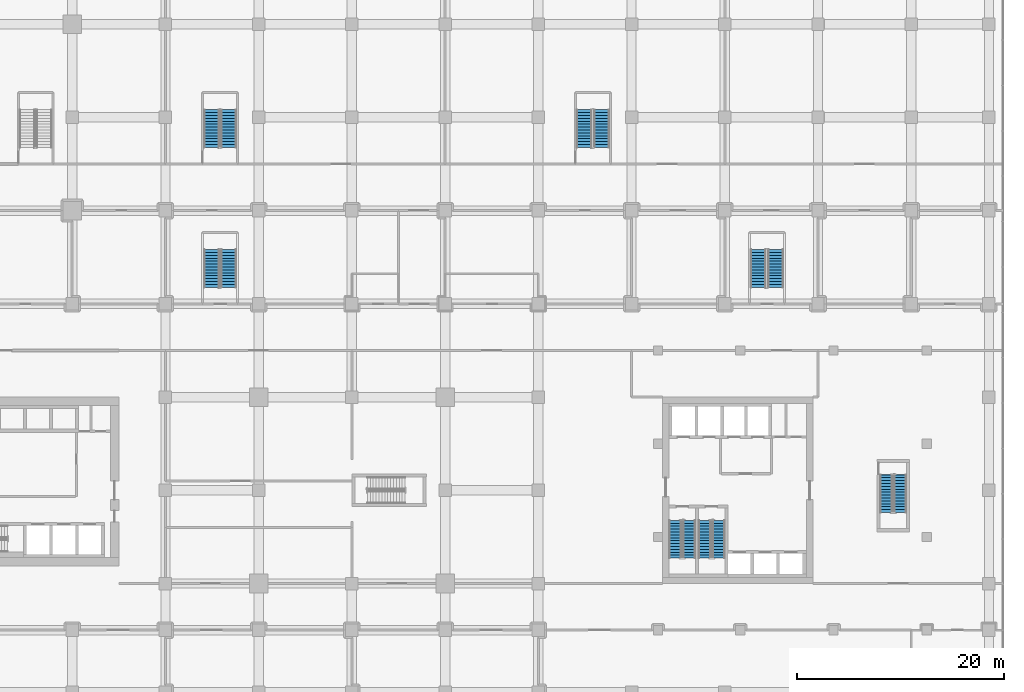
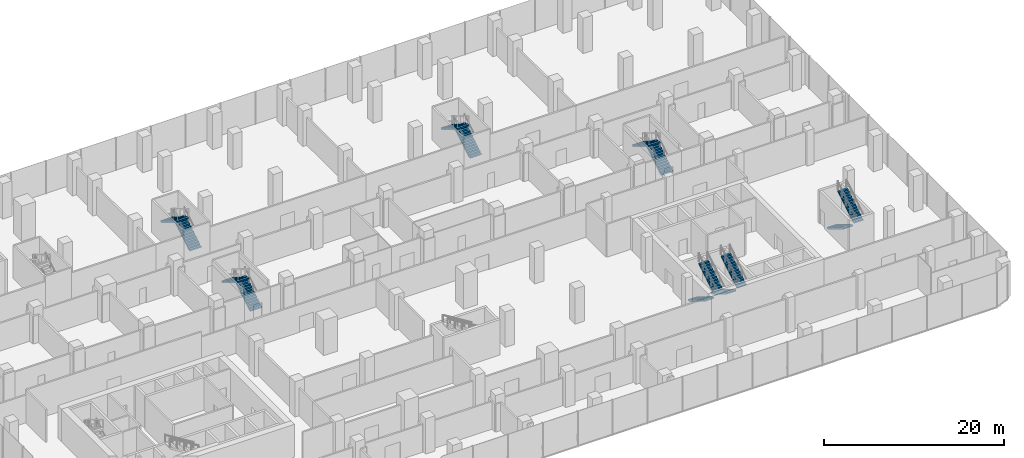
# One storey, part 37 of 42: 14 stair flights, 7 elements without a shape of their own.
"""IFC4 building model written with IfcOpenShell, lengths in metres."""

from ifc_helpers import new_model, si_unit, direction, frame, origin, place, context, subcontext, project, spatial, polyline, outline, extrude, material, type_object, element, aggregate, save


model = new_model("IFC4")

# Units and contexts
model_context = context("Model", 3, precision=1e-05, world=origin(), true_north=direction((0.0, 1.0)))
body_context = subcontext(model_context, "Body", "Model", "MODEL_VIEW")
ifc_project = project(units=[si_unit("LENGTHUNIT", "METRE"), si_unit("AREAUNIT", "SQUARE_METRE"), si_unit("VOLUMEUNIT", "CUBIC_METRE"), si_unit("PLANEANGLEUNIT", "RADIAN"), si_unit("MASSUNIT", "GRAM", prefix="KILO")], contexts=[model_context])

# Site, building, storey
site_placement = place(None, origin())
site = spatial("IfcSite", under=ifc_project, at=site_placement, CompositionType="ELEMENT")
building_placement = place(site_placement, origin())
building = spatial("IfcBuilding", under=site, at=building_placement, Name="Plateau Cross Towers", CompositionType="ELEMENT")
storey_placement = place(building_placement, frame((0.0, 0.0, 8.0)))
storey = spatial("IfcBuildingStorey", under=building, at=storey_placement, Name="L01", CompositionType="ELEMENT", Elevation=8.0)

# Stair, stair flights
ifc_material = material(Name="Concrete C40/50", Category="concrete")
stair_type_1 = type_object("IfcStairType", Name="Podium exit stair 1500", PredefinedType="HALF_TURN_STAIR", material=ifc_material)
stair_1_placement = place(storey_placement, origin())
stair_1 = element("IfcStair", 1, at=stair_1_placement, inside=storey, type_object=stair_type_1, Name="L01 Exit Stair 1", PredefinedType="HALF_TURN_STAIR")
stair_flight_type_1 = type_object("IfcStairFlightType", Name="Podium stair flight 1500", PredefinedType="STRAIGHT", material=ifc_material)
stair_flight_1_placement = place(storey_placement, frame((33.10009765625, 28.60009765625, 0.0), z_axis=(0.0, 0.0, 1.0), x_axis=(0.0, 1.0, 0.0)))
stair_flight_1 = element("IfcStairFlight", 2, at=stair_flight_1_placement, type_object=stair_flight_type_1, Name="PS1 flight 1", NumberOfRisers=14, NumberOfTreads=13, PredefinedType="STRAIGHT", RiserHeight=0.171428571, TreadLength=0.28, context=body_context, shape_type="SweptSolid", body=[
    extrude(outline(polyline([(-0.0048828125, -0.010009765625), (-0.0048828125, 0.0), (0.0, 0.0), (0.0, 0.17138671875), (0.280029296875, 0.17138671875), (0.280029296875, 0.3427734375), (0.56005859375, 0.3427734375), (0.56005859375, 0.514404296875), (0.840087890625, 0.514404296875), (0.840087890625, 0.685791015625), (1.1201171875, 0.685791015625), (1.1201171875, 0.857177734375), (1.39990234375, 0.857177734375), (1.39990234375, 1.028564453125), (1.679931640625, 1.028564453125), (1.679931640625, 1.199951171875), (1.9599609375, 1.199951171875), (1.9599609375, 1.371337890625), (2.239990234375, 1.371337890625), (2.239990234375, 1.54296875), (2.52001953125, 1.54296875), (2.52001953125, 1.71435546875), (2.800048828125, 1.71435546875), (2.800048828125, 1.8857421875), (3.080078125, 1.8857421875), (3.080078125, 2.05712890625), (3.360107421875, 2.05712890625), (3.360107421875, 2.228515625), (3.639892578125, 2.228515625), (3.64501953125, 2.218505859375), (3.64501953125, 2.052734375), (3.639892578125, 2.052734375), (0.287109375, 0.0), (0.02001953125, 0.0), (0.02001953125, -0.010009765625), (-0.0048828125, -0.010009765625)])), frame((0.0, 0.75, 0.0), z_axis=(0.0, -1.0, 0.0), x_axis=(1.0, 0.0, 0.0)), (0.0, 0.0, 1.0), 1.5),
])
stair_flight_2_placement = place(storey_placement, frame((31.449951171875, 32.239990234375, 2.39990234375), z_axis=(0.0, 0.0, 1.0), x_axis=(0.0, -1.0, 0.0)))
stair_flight_2 = element("IfcStairFlight", 3, at=stair_flight_2_placement, type_object=stair_flight_type_1, Name="PS1 flight 2", NumberOfRisers=14, NumberOfTreads=13, PredefinedType="STRAIGHT", RiserHeight=0.171428571, TreadLength=0.28, context=body_context, shape_type="SweptSolid", body=[
    extrude(outline(polyline([(-0.0048828125, -0.010009765625), (-0.0048828125, 0.0), (0.0, 0.0), (0.0, 0.17138671875), (0.280029296875, 0.17138671875), (0.280029296875, 0.3427734375), (0.56005859375, 0.3427734375), (0.56005859375, 0.514404296875), (0.840087890625, 0.514404296875), (0.840087890625, 0.685791015625), (1.1201171875, 0.685791015625), (1.1201171875, 0.857177734375), (1.39990234375, 0.857177734375), (1.39990234375, 1.028564453125), (1.679931640625, 1.028564453125), (1.679931640625, 1.199951171875), (1.9599609375, 1.199951171875), (1.9599609375, 1.371337890625), (2.239990234375, 1.371337890625), (2.239990234375, 1.54296875), (2.52001953125, 1.54296875), (2.52001953125, 1.71435546875), (2.800048828125, 1.71435546875), (2.800048828125, 1.8857421875), (3.080078125, 1.8857421875), (3.080078125, 2.05712890625), (3.360107421875, 2.05712890625), (3.360107421875, 2.228515625), (3.639892578125, 2.228515625), (3.64501953125, 2.218505859375), (3.64501953125, 2.052734375), (3.639892578125, 2.052734375), (0.287109375, 0.0), (0.02001953125, 0.0), (0.02001953125, -0.010009765625), (-0.0048828125, -0.010009765625)])), frame((0.0, 0.75, 0.0), z_axis=(0.0, -1.0, 0.0), x_axis=(1.0, 0.0, 0.0)), (0.0, 0.0, 1.0), 1.5),
])
aggregate(stair_1, [stair_flight_1, stair_flight_2])

stair_2_placement = place(storey_placement, origin())
stair_2 = element("IfcStair", 4, at=stair_2_placement, inside=storey, type_object=stair_type_1, Name="L01 Exit Stair 2", PredefinedType="HALF_TURN_STAIR")
stair_flight_3_placement = place(storey_placement, frame((33.10009765625, 42.10009765625, 0.0), z_axis=(0.0, 0.0, 1.0), x_axis=(0.0, 1.0, 0.0)))
stair_flight_3 = element("IfcStairFlight", 5, at=stair_flight_3_placement, type_object=stair_flight_type_1, Name="PS2 flight 1", NumberOfRisers=14, NumberOfTreads=13, PredefinedType="STRAIGHT", RiserHeight=0.171428571, TreadLength=0.28, context=body_context, shape_type="SweptSolid", body=[
    extrude(outline(polyline([(-0.0048828125, -0.010009765625), (-0.0048828125, 0.0), (0.0, 0.0), (0.0, 0.17138671875), (0.280029296875, 0.17138671875), (0.280029296875, 0.3427734375), (0.56005859375, 0.3427734375), (0.56005859375, 0.514404296875), (0.840087890625, 0.514404296875), (0.840087890625, 0.685791015625), (1.1201171875, 0.685791015625), (1.1201171875, 0.857177734375), (1.39990234375, 0.857177734375), (1.39990234375, 1.028564453125), (1.679931640625, 1.028564453125), (1.679931640625, 1.199951171875), (1.9599609375, 1.199951171875), (1.9599609375, 1.371337890625), (2.239990234375, 1.371337890625), (2.239990234375, 1.54296875), (2.52001953125, 1.54296875), (2.52001953125, 1.71435546875), (2.800048828125, 1.71435546875), (2.800048828125, 1.8857421875), (3.080078125, 1.8857421875), (3.080078125, 2.05712890625), (3.360107421875, 2.05712890625), (3.360107421875, 2.228515625), (3.639892578125, 2.228515625), (3.64501953125, 2.218505859375), (3.64501953125, 2.052734375), (3.639892578125, 2.052734375), (0.287109375, 0.0), (0.02001953125, 0.0), (0.02001953125, -0.010009765625), (-0.0048828125, -0.010009765625)])), frame((0.0, 0.75, 0.0), z_axis=(0.0, -1.0, 0.0), x_axis=(1.0, 0.0, 0.0)), (0.0, 0.0, 1.0), 1.5),
])
stair_flight_4_placement = place(storey_placement, frame((31.449951171875, 45.739990234375, 2.39990234375), z_axis=(0.0, 0.0, 1.0), x_axis=(0.0, -1.0, 0.0)))
stair_flight_4 = element("IfcStairFlight", 6, at=stair_flight_4_placement, type_object=stair_flight_type_1, Name="PS2 flight 2", NumberOfRisers=14, NumberOfTreads=13, PredefinedType="STRAIGHT", RiserHeight=0.171428571, TreadLength=0.28, context=body_context, shape_type="SweptSolid", body=[
    extrude(outline(polyline([(-0.0048828125, -0.010009765625), (-0.0048828125, 0.0), (0.0, 0.0), (0.0, 0.17138671875), (0.280029296875, 0.17138671875), (0.280029296875, 0.3427734375), (0.56005859375, 0.3427734375), (0.56005859375, 0.514404296875), (0.840087890625, 0.514404296875), (0.840087890625, 0.685791015625), (1.1201171875, 0.685791015625), (1.1201171875, 0.857177734375), (1.39990234375, 0.857177734375), (1.39990234375, 1.028564453125), (1.679931640625, 1.028564453125), (1.679931640625, 1.199951171875), (1.9599609375, 1.199951171875), (1.9599609375, 1.371337890625), (2.239990234375, 1.371337890625), (2.239990234375, 1.54296875), (2.52001953125, 1.54296875), (2.52001953125, 1.71435546875), (2.800048828125, 1.71435546875), (2.800048828125, 1.8857421875), (3.080078125, 1.8857421875), (3.080078125, 2.05712890625), (3.360107421875, 2.05712890625), (3.360107421875, 2.228515625), (3.639892578125, 2.228515625), (3.64501953125, 2.218505859375), (3.64501953125, 2.052734375), (3.639892578125, 2.052734375), (0.287109375, 0.0), (0.02001953125, 0.0), (0.02001953125, -0.010009765625), (-0.0048828125, -0.010009765625)])), frame((0.0, 0.75, 0.0), z_axis=(0.0, -1.0, 0.0), x_axis=(1.0, 0.0, 0.0)), (0.0, 0.0, 1.0), 1.5),
])
aggregate(stair_2, [stair_flight_3, stair_flight_4])

stair_3_placement = place(storey_placement, origin())
stair_3 = element("IfcStair", 7, at=stair_3_placement, inside=storey, type_object=stair_type_1, Name="L01 Exit Stair 3", PredefinedType="HALF_TURN_STAIR")
stair_flight_5_placement = place(storey_placement, frame((69.10009765625, 42.10009765625, 0.0), z_axis=(0.0, 0.0, 1.0), x_axis=(0.0, 1.0, 0.0)))
stair_flight_5 = element("IfcStairFlight", 8, at=stair_flight_5_placement, type_object=stair_flight_type_1, Name="PS3 flight 1", NumberOfRisers=14, NumberOfTreads=13, PredefinedType="STRAIGHT", RiserHeight=0.171428571, TreadLength=0.28, context=body_context, shape_type="SweptSolid", body=[
    extrude(outline(polyline([(-0.0048828125, -0.010009765625), (-0.0048828125, 0.0), (0.0, 0.0), (0.0, 0.17138671875), (0.280029296875, 0.17138671875), (0.280029296875, 0.3427734375), (0.56005859375, 0.3427734375), (0.56005859375, 0.514404296875), (0.840087890625, 0.514404296875), (0.840087890625, 0.685791015625), (1.1201171875, 0.685791015625), (1.1201171875, 0.857177734375), (1.39990234375, 0.857177734375), (1.39990234375, 1.028564453125), (1.679931640625, 1.028564453125), (1.679931640625, 1.199951171875), (1.9599609375, 1.199951171875), (1.9599609375, 1.371337890625), (2.239990234375, 1.371337890625), (2.239990234375, 1.54296875), (2.52001953125, 1.54296875), (2.52001953125, 1.71435546875), (2.800048828125, 1.71435546875), (2.800048828125, 1.8857421875), (3.080078125, 1.8857421875), (3.080078125, 2.05712890625), (3.360107421875, 2.05712890625), (3.360107421875, 2.228515625), (3.639892578125, 2.228515625), (3.64501953125, 2.218505859375), (3.64501953125, 2.052734375), (3.639892578125, 2.052734375), (0.287109375, 0.0), (0.02001953125, 0.0), (0.02001953125, -0.010009765625), (-0.0048828125, -0.010009765625)])), frame((0.0, 0.75, 0.0), z_axis=(0.0, -1.0, 0.0), x_axis=(1.0, 0.0, 0.0)), (0.0, 0.0, 1.0), 1.5),
])
stair_flight_6_placement = place(storey_placement, frame((67.449951171875, 45.739990234375, 2.39990234375), z_axis=(0.0, 0.0, 1.0), x_axis=(0.0, -1.0, 0.0)))
stair_flight_6 = element("IfcStairFlight", 9, at=stair_flight_6_placement, type_object=stair_flight_type_1, Name="PS3 flight 2", NumberOfRisers=14, NumberOfTreads=13, PredefinedType="STRAIGHT", RiserHeight=0.171428571, TreadLength=0.28, context=body_context, shape_type="SweptSolid", body=[
    extrude(outline(polyline([(-0.0048828125, -0.010009765625), (-0.0048828125, 0.0), (0.0, 0.0), (0.0, 0.17138671875), (0.280029296875, 0.17138671875), (0.280029296875, 0.3427734375), (0.56005859375, 0.3427734375), (0.56005859375, 0.514404296875), (0.840087890625, 0.514404296875), (0.840087890625, 0.685791015625), (1.1201171875, 0.685791015625), (1.1201171875, 0.857177734375), (1.39990234375, 0.857177734375), (1.39990234375, 1.028564453125), (1.679931640625, 1.028564453125), (1.679931640625, 1.199951171875), (1.9599609375, 1.199951171875), (1.9599609375, 1.371337890625), (2.239990234375, 1.371337890625), (2.239990234375, 1.54296875), (2.52001953125, 1.54296875), (2.52001953125, 1.71435546875), (2.800048828125, 1.71435546875), (2.800048828125, 1.8857421875), (3.080078125, 1.8857421875), (3.080078125, 2.05712890625), (3.360107421875, 2.05712890625), (3.360107421875, 2.228515625), (3.639892578125, 2.228515625), (3.64501953125, 2.218505859375), (3.64501953125, 2.052734375), (3.639892578125, 2.052734375), (0.287109375, 0.0), (0.02001953125, 0.0), (0.02001953125, -0.010009765625), (-0.0048828125, -0.010009765625)])), frame((0.0, 0.75, 0.0), z_axis=(0.0, -1.0, 0.0), x_axis=(1.0, 0.0, 0.0)), (0.0, 0.0, 1.0), 1.5),
])
aggregate(stair_3, [stair_flight_5, stair_flight_6])

stair_4_placement = place(storey_placement, origin())
stair_4 = element("IfcStair", 10, at=stair_4_placement, inside=storey, type_object=stair_type_1, Name="L01 Exit Stair 5", PredefinedType="HALF_TURN_STAIR")
stair_flight_7_placement = place(storey_placement, frame((85.89990234375, 28.60009765625, 0.0), z_axis=(0.0, 0.0, 1.0), x_axis=(0.0, 1.0, 0.0)))
stair_flight_7 = element("IfcStairFlight", 11, at=stair_flight_7_placement, type_object=stair_flight_type_1, Name="PS5 flight 1", NumberOfRisers=14, NumberOfTreads=13, PredefinedType="STRAIGHT", RiserHeight=0.171428571, TreadLength=0.28, context=body_context, shape_type="SweptSolid", body=[
    extrude(outline(polyline([(-0.0048828125, -0.010009765625), (-0.0048828125, 0.0), (0.0, 0.0), (0.0, 0.17138671875), (0.280029296875, 0.17138671875), (0.280029296875, 0.3427734375), (0.56005859375, 0.3427734375), (0.56005859375, 0.514404296875), (0.840087890625, 0.514404296875), (0.840087890625, 0.685791015625), (1.1201171875, 0.685791015625), (1.1201171875, 0.857177734375), (1.39990234375, 0.857177734375), (1.39990234375, 1.028564453125), (1.679931640625, 1.028564453125), (1.679931640625, 1.199951171875), (1.9599609375, 1.199951171875), (1.9599609375, 1.371337890625), (2.239990234375, 1.371337890625), (2.239990234375, 1.54296875), (2.52001953125, 1.54296875), (2.52001953125, 1.71435546875), (2.800048828125, 1.71435546875), (2.800048828125, 1.8857421875), (3.080078125, 1.8857421875), (3.080078125, 2.05712890625), (3.360107421875, 2.05712890625), (3.360107421875, 2.228515625), (3.639892578125, 2.228515625), (3.64501953125, 2.218505859375), (3.64501953125, 2.052734375), (3.639892578125, 2.052734375), (0.287109375, 0.0), (0.02001953125, 0.0), (0.02001953125, -0.010009765625), (-0.0048828125, -0.010009765625)])), frame((0.0, 0.75, 0.0), z_axis=(0.0, -1.0, 0.0), x_axis=(1.0, 0.0, 0.0)), (0.0, 0.0, 1.0), 1.5),
])
stair_flight_8_placement = place(storey_placement, frame((84.25, 32.239990234375, 2.39990234375), z_axis=(0.0, 0.0, 1.0), x_axis=(0.0, -1.0, 0.0)))
stair_flight_8 = element("IfcStairFlight", 12, at=stair_flight_8_placement, type_object=stair_flight_type_1, Name="PS5 flight 2", NumberOfRisers=14, NumberOfTreads=13, PredefinedType="STRAIGHT", RiserHeight=0.171428571, TreadLength=0.28, context=body_context, shape_type="SweptSolid", body=[
    extrude(outline(polyline([(-0.0048828125, -0.010009765625), (-0.0048828125, 0.0), (0.0, 0.0), (0.0, 0.17138671875), (0.280029296875, 0.17138671875), (0.280029296875, 0.3427734375), (0.56005859375, 0.3427734375), (0.56005859375, 0.514404296875), (0.840087890625, 0.514404296875), (0.840087890625, 0.685791015625), (1.1201171875, 0.685791015625), (1.1201171875, 0.857177734375), (1.39990234375, 0.857177734375), (1.39990234375, 1.028564453125), (1.679931640625, 1.028564453125), (1.679931640625, 1.199951171875), (1.9599609375, 1.199951171875), (1.9599609375, 1.371337890625), (2.239990234375, 1.371337890625), (2.239990234375, 1.54296875), (2.52001953125, 1.54296875), (2.52001953125, 1.71435546875), (2.800048828125, 1.71435546875), (2.800048828125, 1.8857421875), (3.080078125, 1.8857421875), (3.080078125, 2.05712890625), (3.360107421875, 2.05712890625), (3.360107421875, 2.228515625), (3.639892578125, 2.228515625), (3.64501953125, 2.218505859375), (3.64501953125, 2.052734375), (3.639892578125, 2.052734375), (0.287109375, 0.0), (0.02001953125, 0.0), (0.02001953125, -0.010009765625), (-0.0048828125, -0.010009765625)])), frame((0.0, 0.75, 0.0), z_axis=(0.0, -1.0, 0.0), x_axis=(1.0, 0.0, 0.0)), (0.0, 0.0, 1.0), 1.5),
])
aggregate(stair_4, [stair_flight_7, stair_flight_8])

stair_type_2 = type_object("IfcStairType", Name="ST-TWR", PredefinedType="HALF_TURN_STAIR", material=ifc_material)
stair_5_placement = place(storey_placement, origin())
stair_5 = element("IfcStair", 13, at=stair_5_placement, inside=storey, type_object=stair_type_2, Name="L01 Protected Exit Stair SB-1", PredefinedType="HALF_TURN_STAIR")
stair_flight_type_2 = type_object("IfcStairFlightType", Name="SFL-RC", PredefinedType="STRAIGHT", material=ifc_material)
stair_flight_9_placement = place(storey_placement, frame((76.199951171875, 6.10009765625, 0.0), z_axis=(0.0, 0.0, 1.0), x_axis=(0.0, -1.0, 0.0)))
stair_flight_9 = element("IfcStairFlight", 14, at=stair_flight_9_placement, type_object=stair_flight_type_2, Name="SB-1 flight 1", NumberOfRisers=14, NumberOfTreads=13, PredefinedType="STRAIGHT", RiserHeight=0.171428571, TreadLength=0.28, context=body_context, shape_type="SweptSolid", body=[
    extrude(outline(polyline([(-0.0048828125, -0.010009765625), (-0.0048828125, 0.0), (0.0, 0.0), (0.0, 0.17138671875), (0.280029296875, 0.17138671875), (0.280029296875, 0.3427734375), (0.56005859375, 0.3427734375), (0.56005859375, 0.514404296875), (0.840087890625, 0.514404296875), (0.840087890625, 0.685791015625), (1.1201171875, 0.685791015625), (1.1201171875, 0.857177734375), (1.39990234375, 0.857177734375), (1.39990234375, 1.028564453125), (1.679931640625, 1.028564453125), (1.679931640625, 1.199951171875), (1.9599609375, 1.199951171875), (1.9599609375, 1.371337890625), (2.239990234375, 1.371337890625), (2.239990234375, 1.54296875), (2.52001953125, 1.54296875), (2.52001953125, 1.71435546875), (2.800048828125, 1.71435546875), (2.800048828125, 1.8857421875), (3.080078125, 1.8857421875), (3.080078125, 2.05712890625), (3.360107421875, 2.05712890625), (3.360107421875, 2.228515625), (3.639892578125, 2.228515625), (3.64501953125, 2.218505859375), (3.64501953125, 2.052734375), (3.639892578125, 2.052734375), (0.287109375, 0.0), (0.02001953125, 0.0), (0.02001953125, -0.010009765625), (-0.0048828125, -0.010009765625)])), frame((0.0, 0.60009765625, 0.0), z_axis=(0.0, -1.0, 0.0), x_axis=(1.0, 0.0, 0.0)), (0.0, 0.0, 1.0), 1.199951171875),
])
stair_flight_10_placement = place(storey_placement, frame((77.550048828125, 2.4599609375, 2.39990234375), z_axis=(0.0, 0.0, 1.0), x_axis=(0.0, 1.0, 0.0)))
stair_flight_10 = element("IfcStairFlight", 15, at=stair_flight_10_placement, type_object=stair_flight_type_2, Name="SB-1 flight 2", NumberOfRisers=14, NumberOfTreads=13, PredefinedType="STRAIGHT", RiserHeight=0.171428571, TreadLength=0.28, context=body_context, shape_type="SweptSolid", body=[
    extrude(outline(polyline([(-0.0048828125, -0.010009765625), (-0.0048828125, 0.0), (0.0, 0.0), (0.0, 0.17138671875), (0.280029296875, 0.17138671875), (0.280029296875, 0.3427734375), (0.56005859375, 0.3427734375), (0.56005859375, 0.514404296875), (0.840087890625, 0.514404296875), (0.840087890625, 0.685791015625), (1.1201171875, 0.685791015625), (1.1201171875, 0.857177734375), (1.39990234375, 0.857177734375), (1.39990234375, 1.028564453125), (1.679931640625, 1.028564453125), (1.679931640625, 1.199951171875), (1.9599609375, 1.199951171875), (1.9599609375, 1.371337890625), (2.239990234375, 1.371337890625), (2.239990234375, 1.54296875), (2.52001953125, 1.54296875), (2.52001953125, 1.71435546875), (2.800048828125, 1.71435546875), (2.800048828125, 1.8857421875), (3.080078125, 1.8857421875), (3.080078125, 2.05712890625), (3.360107421875, 2.05712890625), (3.360107421875, 2.228515625), (3.639892578125, 2.228515625), (3.64501953125, 2.218505859375), (3.64501953125, 2.052734375), (3.639892578125, 2.052734375), (0.287109375, 0.0), (0.02001953125, 0.0), (0.02001953125, -0.010009765625), (-0.0048828125, -0.010009765625)])), frame((0.0, 0.60009765625, 0.0), z_axis=(0.0, -1.0, 0.0), x_axis=(1.0, 0.0, 0.0)), (0.0, 0.0, 1.0), 1.199951171875),
])
aggregate(stair_5, [stair_flight_9, stair_flight_10])

stair_6_placement = place(storey_placement, origin())
stair_6 = element("IfcStair", 16, at=stair_6_placement, inside=storey, type_object=stair_type_2, Name="L01 Protected Exit Stair SB-2", PredefinedType="HALF_TURN_STAIR")
stair_flight_11_placement = place(storey_placement, frame((79.050048828125, 6.10009765625, 0.0), z_axis=(0.0, 0.0, 1.0), x_axis=(0.0, -1.0, 0.0)))
stair_flight_11 = element("IfcStairFlight", 17, at=stair_flight_11_placement, type_object=stair_flight_type_2, Name="SB-2 flight 1", NumberOfRisers=14, NumberOfTreads=13, PredefinedType="STRAIGHT", RiserHeight=0.171428571, TreadLength=0.28, context=body_context, shape_type="SweptSolid", body=[
    extrude(outline(polyline([(-0.0048828125, -0.010009765625), (-0.0048828125, 0.0), (0.0, 0.0), (0.0, 0.17138671875), (0.280029296875, 0.17138671875), (0.280029296875, 0.3427734375), (0.56005859375, 0.3427734375), (0.56005859375, 0.514404296875), (0.840087890625, 0.514404296875), (0.840087890625, 0.685791015625), (1.1201171875, 0.685791015625), (1.1201171875, 0.857177734375), (1.39990234375, 0.857177734375), (1.39990234375, 1.028564453125), (1.679931640625, 1.028564453125), (1.679931640625, 1.199951171875), (1.9599609375, 1.199951171875), (1.9599609375, 1.371337890625), (2.239990234375, 1.371337890625), (2.239990234375, 1.54296875), (2.52001953125, 1.54296875), (2.52001953125, 1.71435546875), (2.800048828125, 1.71435546875), (2.800048828125, 1.8857421875), (3.080078125, 1.8857421875), (3.080078125, 2.05712890625), (3.360107421875, 2.05712890625), (3.360107421875, 2.228515625), (3.639892578125, 2.228515625), (3.64501953125, 2.218505859375), (3.64501953125, 2.052734375), (3.639892578125, 2.052734375), (0.287109375, 0.0), (0.02001953125, 0.0), (0.02001953125, -0.010009765625), (-0.0048828125, -0.010009765625)])), frame((0.0, 0.60009765625, 0.0), z_axis=(0.0, -1.0, 0.0), x_axis=(1.0, 0.0, 0.0)), (0.0, 0.0, 1.0), 1.199951171875),
])
stair_flight_12_placement = place(storey_placement, frame((80.39990234375, 2.4599609375, 2.39990234375), z_axis=(0.0, 0.0, 1.0), x_axis=(0.0, 1.0, 0.0)))
stair_flight_12 = element("IfcStairFlight", 18, at=stair_flight_12_placement, type_object=stair_flight_type_2, Name="SB-2 flight 2", NumberOfRisers=14, NumberOfTreads=13, PredefinedType="STRAIGHT", RiserHeight=0.171428571, TreadLength=0.28, context=body_context, shape_type="SweptSolid", body=[
    extrude(outline(polyline([(-0.0048828125, -0.010009765625), (-0.0048828125, 0.0), (0.0, 0.0), (0.0, 0.17138671875), (0.280029296875, 0.17138671875), (0.280029296875, 0.3427734375), (0.56005859375, 0.3427734375), (0.56005859375, 0.514404296875), (0.840087890625, 0.514404296875), (0.840087890625, 0.685791015625), (1.1201171875, 0.685791015625), (1.1201171875, 0.857177734375), (1.39990234375, 0.857177734375), (1.39990234375, 1.028564453125), (1.679931640625, 1.028564453125), (1.679931640625, 1.199951171875), (1.9599609375, 1.199951171875), (1.9599609375, 1.371337890625), (2.239990234375, 1.371337890625), (2.239990234375, 1.54296875), (2.52001953125, 1.54296875), (2.52001953125, 1.71435546875), (2.800048828125, 1.71435546875), (2.800048828125, 1.8857421875), (3.080078125, 1.8857421875), (3.080078125, 2.05712890625), (3.360107421875, 2.05712890625), (3.360107421875, 2.228515625), (3.639892578125, 2.228515625), (3.64501953125, 2.218505859375), (3.64501953125, 2.052734375), (3.639892578125, 2.052734375), (0.287109375, 0.0), (0.02001953125, 0.0), (0.02001953125, -0.010009765625), (-0.0048828125, -0.010009765625)])), frame((0.0, 0.60009765625, 0.0), z_axis=(0.0, -1.0, 0.0), x_axis=(1.0, 0.0, 0.0)), (0.0, 0.0, 1.0), 1.199951171875),
])
aggregate(stair_6, [stair_flight_11, stair_flight_12])

stair_7_placement = place(storey_placement, origin())
stair_7 = element("IfcStair", 19, at=stair_7_placement, inside=storey, type_object=stair_type_2, Name="L01 Protected Exit Stair SB-3", PredefinedType="HALF_TURN_STAIR")
stair_flight_13_placement = place(storey_placement, frame((96.60009765625, 10.5, 0.0), z_axis=(0.0, 0.0, 1.0), x_axis=(0.0, -1.0, 0.0)))
stair_flight_13 = element("IfcStairFlight", 20, at=stair_flight_13_placement, type_object=stair_flight_type_2, Name="SB-3 flight 1", NumberOfRisers=14, NumberOfTreads=13, PredefinedType="STRAIGHT", RiserHeight=0.171428571, TreadLength=0.28, context=body_context, shape_type="SweptSolid", body=[
    extrude(outline(polyline([(-0.0048828125, -0.010009765625), (-0.0048828125, 0.0), (0.0, 0.0), (0.0, 0.17138671875), (0.280029296875, 0.17138671875), (0.280029296875, 0.3427734375), (0.56005859375, 0.3427734375), (0.56005859375, 0.514404296875), (0.840087890625, 0.514404296875), (0.840087890625, 0.685791015625), (1.1201171875, 0.685791015625), (1.1201171875, 0.857177734375), (1.39990234375, 0.857177734375), (1.39990234375, 1.028564453125), (1.679931640625, 1.028564453125), (1.679931640625, 1.199951171875), (1.9599609375, 1.199951171875), (1.9599609375, 1.371337890625), (2.239990234375, 1.371337890625), (2.239990234375, 1.54296875), (2.52001953125, 1.54296875), (2.52001953125, 1.71435546875), (2.800048828125, 1.71435546875), (2.800048828125, 1.8857421875), (3.080078125, 1.8857421875), (3.080078125, 2.05712890625), (3.360107421875, 2.05712890625), (3.360107421875, 2.228515625), (3.639892578125, 2.228515625), (3.64501953125, 2.218505859375), (3.64501953125, 2.052734375), (3.639892578125, 2.052734375), (0.287109375, 0.0), (0.02001953125, 0.0), (0.02001953125, -0.010009765625), (-0.0048828125, -0.010009765625)])), frame((0.0, 0.60009765625, 0.0), z_axis=(0.0, -1.0, 0.0), x_axis=(1.0, 0.0, 0.0)), (0.0, 0.0, 1.0), 1.199951171875),
])
stair_flight_14_placement = place(storey_placement, frame((97.949951171875, 6.860107421875, 2.39990234375), z_axis=(0.0, 0.0, 1.0), x_axis=(0.0, 1.0, 0.0)))
stair_flight_14 = element("IfcStairFlight", 21, at=stair_flight_14_placement, type_object=stair_flight_type_2, Name="SB-3 flight 2", NumberOfRisers=14, NumberOfTreads=13, PredefinedType="STRAIGHT", RiserHeight=0.171428571, TreadLength=0.28, context=body_context, shape_type="SweptSolid", body=[
    extrude(outline(polyline([(-0.0048828125, -0.010009765625), (-0.0048828125, 0.0), (0.0, 0.0), (0.0, 0.17138671875), (0.280029296875, 0.17138671875), (0.280029296875, 0.3427734375), (0.56005859375, 0.3427734375), (0.56005859375, 0.514404296875), (0.840087890625, 0.514404296875), (0.840087890625, 0.685791015625), (1.1201171875, 0.685791015625), (1.1201171875, 0.857177734375), (1.39990234375, 0.857177734375), (1.39990234375, 1.028564453125), (1.679931640625, 1.028564453125), (1.679931640625, 1.199951171875), (1.9599609375, 1.199951171875), (1.9599609375, 1.371337890625), (2.239990234375, 1.371337890625), (2.239990234375, 1.54296875), (2.52001953125, 1.54296875), (2.52001953125, 1.71435546875), (2.800048828125, 1.71435546875), (2.800048828125, 1.8857421875), (3.080078125, 1.8857421875), (3.080078125, 2.05712890625), (3.360107421875, 2.05712890625), (3.360107421875, 2.228515625), (3.639892578125, 2.228515625), (3.64501953125, 2.218505859375), (3.64501953125, 2.052734375), (3.639892578125, 2.052734375), (0.287109375, 0.0), (0.02001953125, 0.0), (0.02001953125, -0.010009765625), (-0.0048828125, -0.010009765625)])), frame((0.0, 0.60009765625, 0.0), z_axis=(0.0, -1.0, 0.0), x_axis=(1.0, 0.0, 0.0)), (0.0, 0.0, 1.0), 1.199951171875),
])
aggregate(stair_7, [stair_flight_13, stair_flight_14])

save(model, "model.ifc")
